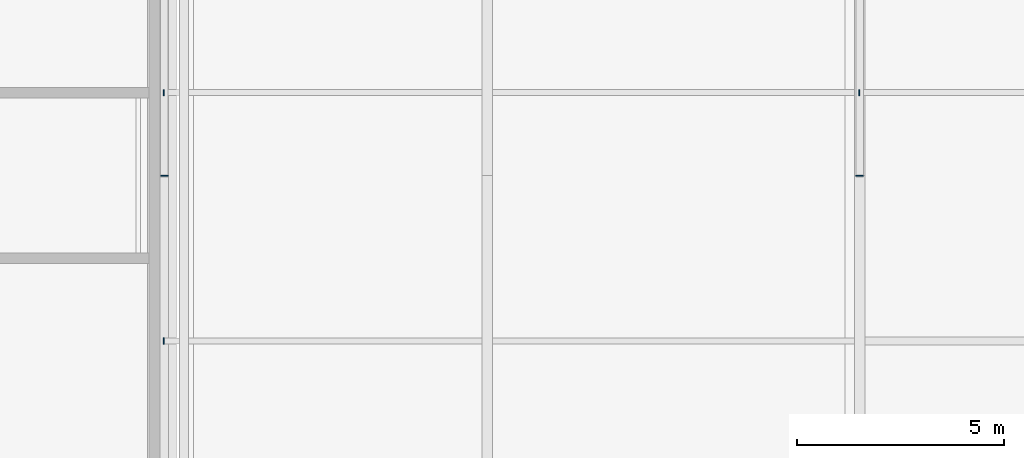
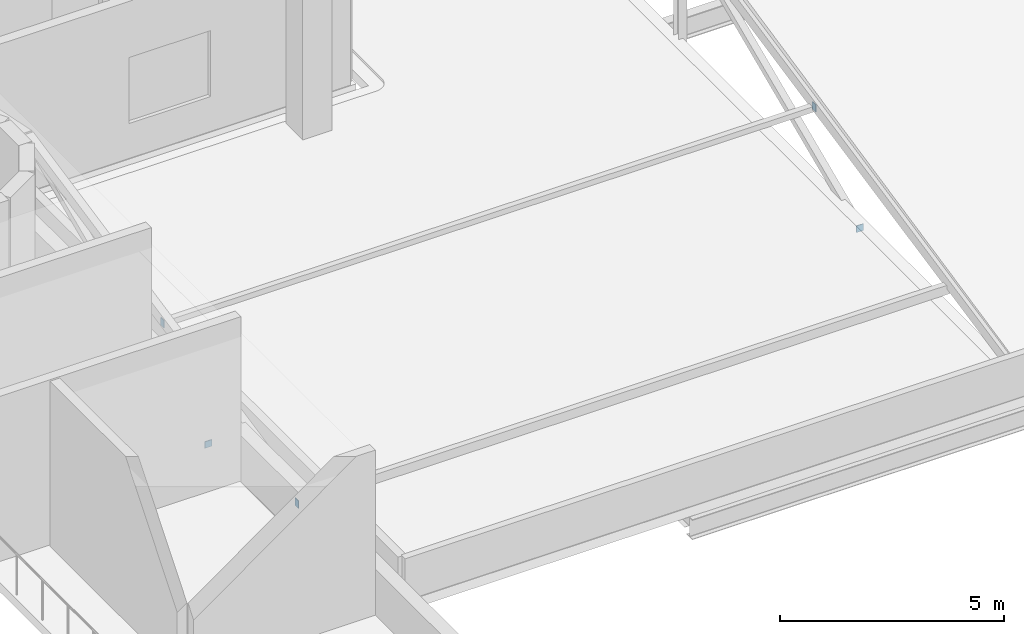
# One storey, part 66 of 85: 5 plates.
"""IFC4 building model written with IfcOpenShell, lengths in metres."""

from ifc_helpers import new_model, si_unit, derived_unit, direction, frame, origin, origin_2d, place, context, subcontext, project, spatial, rectangle, extrude, material, layer, layer_set, type_object, element, save


model = new_model("IFC4")

# Units and contexts
model_context = context("Model", 3, precision=1e-05, world=origin(), true_north=direction((0.0, 1.0)))
body_context = subcontext(model_context, "Body", "Model", "MODEL_VIEW")
ifc_project = project(units=[si_unit("LENGTHUNIT", "METRE"), si_unit("AREAUNIT", "SQUARE_METRE"), si_unit("VOLUMEUNIT", "CUBIC_METRE"), si_unit("PLANEANGLEUNIT", "RADIAN"), si_unit("MASSUNIT", "GRAM", prefix="KILO"), derived_unit("THERMALTRANSMITTANCEUNIT", [(si_unit("POWERUNIT", "WATT"), 1), (si_unit("LENGTHUNIT", "METRE"), -2), (si_unit("THERMODYNAMICTEMPERATUREUNIT", "KELVIN"), -1)])], contexts=[model_context])

# Site, building, storey
site_placement = place(None, origin())
site = spatial("IfcSite", under=ifc_project, at=site_placement, CompositionType="ELEMENT")
building_placement = place(site_placement, origin())
building = spatial("IfcBuilding", under=site, at=building_placement, Name="Nallur Shell Playhouse", CompositionType="ELEMENT")
storey_placement = place(building_placement, frame((0.0, 0.0, 19.800048828125)))
storey = spatial("IfcBuildingStorey", under=building, at=storey_placement, Name="L05", CompositionType="ELEMENT", Elevation=19.800048828125)

# Plates
ifc_material = material(Name="Steel E350", Category="steel")
ifc_layer = layer(ifc_material, 0.02001953125)
ifc_layer_set = layer_set([ifc_layer], Name="Steel E350")
plate_type = type_object("IfcPlateType", Name="PT-ENDCAP-20", PredefinedType="SHEET", material=ifc_layer_set)
for number, where, z_axis, x_axis, name in (
    (1, (118.60009765625, 31.989990234375, -0.47119140625), (0.0, 0.0, 1.0), (1.0, 0.0, 0.0), "Hollow end cap EC-TRST-1186-1"),
    (2, (135.39990234375, 31.989990234375, -0.47119140625), (0.0, 0.0, 1.0), (1.0, 0.0, 0.0), "Hollow end cap EC-TRST-1354-1"),
):
    element("IfcPlate", number, at=place(storey_placement, frame(where, z_axis=z_axis, x_axis=x_axis)), inside=storey, type_object=plate_type, Name=name, PredefinedType="SHEET", context=body_context, shape_type="SweptSolid", body=[
        extrude(rectangle(XDim=0.179931640625, YDim=0.02001953125, at=origin_2d()), origin(), (0.0, 0.0, 1.0), 0.179931640625),
    ])
for number, where, z_axis, x_axis, name in (
    (3, (118.590087890625, 28.0, 0.330078125), (0.0, 0.0, 1.0), (1.0, 0.0, 0.0), "Hollow end cap EC-PUR-ST-01"),
    (4, (118.590087890625, 34.0, 1.60546875), (0.0, 0.0, 1.0), (1.0, 0.0, 0.0), "Hollow end cap EC-PUR-ST-03"),
    (5, (135.389892578125, 34.0, 1.60546875), (0.0, 0.0, 1.0), (1.0, 0.0, 0.0), "Hollow end cap EC-PUR-ST-04"),
):
    element("IfcPlate", number, at=place(storey_placement, frame(where, z_axis=z_axis, x_axis=x_axis)), inside=storey, type_object=plate_type, Name=name, PredefinedType="SHEET", context=body_context, shape_type="SweptSolid", body=[
        extrude(rectangle(XDim=0.02001953125, YDim=0.14990234375, at=origin_2d()), origin(), (0.0, 0.0, 1.0), 0.199951171875),
    ])

save(model, "model.ifc")
